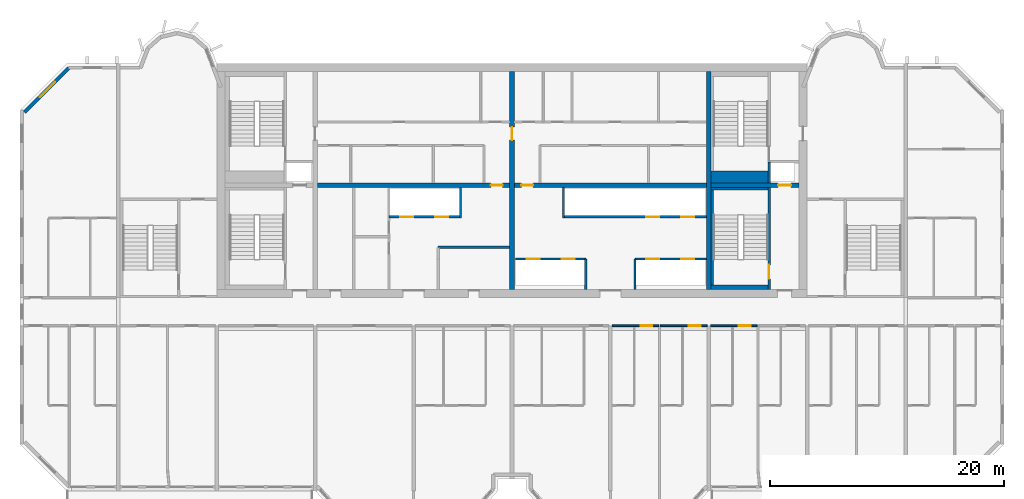
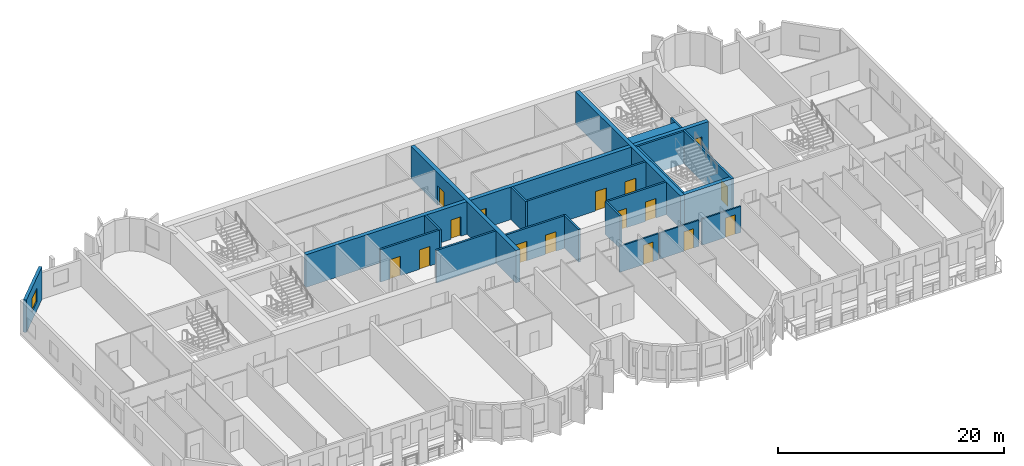
# One storey, part 6 of 13: 24 walls, 16 doors, 1 window, 17 openings.
"""IFC4 building model written with IfcOpenShell, lengths in metres."""

from ifc_helpers import new_model, si_unit, direction, frame, frame_2d, origin, place, context, subcontext, project, spatial, rectangle, extrude, source, transform, mapped, material, layer, layer_set, type_object, element, fill, save


model = new_model("IFC4")

# Units and contexts
model_context = context("Model", 3, precision=1e-05, world=origin(), true_north=direction((0.0, 1.0)))
body_context = subcontext(model_context, "Body", "Model", "MODEL_VIEW")
ifc_project = project(units=[si_unit("LENGTHUNIT", "METRE"), si_unit("AREAUNIT", "SQUARE_METRE"), si_unit("VOLUMEUNIT", "CUBIC_METRE"), si_unit("PLANEANGLEUNIT", "RADIAN"), si_unit("MASSUNIT", "GRAM", prefix="KILO")], contexts=[model_context])

# Site, building, storey
site_placement = place(None, origin())
site = spatial("IfcSite", under=ifc_project, at=site_placement, CompositionType="ELEMENT")
building_placement = place(site_placement, origin())
building = spatial("IfcBuilding", under=site, at=building_placement, Name="Vanashikhar Sky Hotel", CompositionType="ELEMENT")
storey_placement = place(building_placement, frame((0.0, 0.0, 193.39990234375)))
storey = spatial("IfcBuildingStorey", under=building, at=storey_placement, Name="L47", CompositionType="ELEMENT", Elevation=193.39990234375)

# Wall, opening, door
ifc_material_1 = material(Name="Concrete M60", Category="concrete")
ifc_layer_1 = layer(ifc_material_1, 0.39990234375)
ifc_layer_set_1 = layer_set([ifc_layer_1], Name="RC core inner wall 400 Concrete M60")
wall_type_1 = type_object("IfcWallType", Name="RC core inner wall 400 Concrete M60", PredefinedType="SHEAR", material=ifc_layer_set_1)
shared_shape_1 = source(origin(), body_context, "Body", "SweptSolid", [
    extrude(rectangle(XDim=18.60009765625, YDim=0.39990234375, at=frame_2d((9.300048828125, 0.0))), origin(), (0.0, 0.0, 1.0), 3.52001953125),
])
wall_1_placement = place(storey_placement, frame((50.39990234375, 22.699951171875, 0.0), z_axis=(0.0, 0.0, 1.0), x_axis=(0.0, 1.0, 0.0)))
wall_1 = element("IfcWall", 1, at=wall_1_placement, inside=storey, type_object=wall_type_1, Name="KW-L47-KX2", PredefinedType="SHEAR", context=body_context, shape_type="MappedRepresentation", body=[
    mapped(shared_shape_1, transform((0.0, 0.0, 0.0), scale=1.0)),
])
shared_shape_2 = source(origin(), body_context, "Body", "SweptSolid", [
    extrude(rectangle(XDim=1.10009765625, YDim=2.10009765625, at=frame_2d((0.550048828125, 1.050048828125))), frame((0.0, 0.2099609375, 0.0), z_axis=(0.0, -1.0, 0.0), x_axis=(1.0, 0.0, 0.0)), (0.0, 0.0, 1.0), 0.419921875),
])
opening_1_placement = place(wall_1_placement, frame((12.75, 0.0, 0.0)))
opening_1 = element("IfcOpeningElement", 2, at=opening_1_placement, cuts=wall_1, Name="Opening DC-4-C", PredefinedType="OPENING", context=body_context, shape_type="MappedRepresentation", body=[
    mapped(shared_shape_2, transform((0.0, 0.0, 0.0), scale=1.0)),
])
ifc_material_2 = material(Name="Steel", Category="steel")
door_type_1 = type_object("IfcDoorType", Name="Service door 1100 FD60", OperationType="NOTDEFINED", PredefinedType="DOOR", material=ifc_material_2)
shared_shape_3 = source(origin(), body_context, "Body", "SweptSolid", [
    extrude(rectangle(XDim=1.10009765625, YDim=2.10009765625, at=frame_2d((0.550048828125, 1.050048828125))), frame((0.0, 0.02490234375, 0.0), z_axis=(0.0, -1.0, 0.0), x_axis=(1.0, 0.0, 0.0)), (0.0, 0.0, 1.0), 0.050048828125),
])
door_1_placement = place(opening_1_placement, origin())
door_1 = element("IfcDoor", 3, at=door_1_placement, inside=storey, type_object=door_type_1, Name="Service door 1100 FD60", OperationType="SINGLE_SWING_RIGHT", OverallHeight=2.10009765625, OverallWidth=1.10009765625, PredefinedType="DOOR", context=body_context, shape_type="MappedRepresentation", body=[
    mapped(shared_shape_3, transform((0.0, 0.0, 0.0), scale=1.0)),
])
fill(opening_1, door_1)

# Wall
wall_2_placement = place(storey_placement, frame((67.199951171875, 22.699951171875, 0.0), z_axis=(0.0, 0.0, 1.0), x_axis=(0.0, 1.0, 0.0)))
element("IfcWall", 4, at=wall_2_placement, inside=storey, type_object=wall_type_1, Name="KW-L47-KX3", PredefinedType="SHEAR", context=body_context, shape_type="MappedRepresentation", body=[
    mapped(shared_shape_1, transform((0.0, 0.0, 0.0), scale=1.0)),
])

# Wall, opening, door
shared_shape_4 = source(origin(), body_context, "Body", "SweptSolid", [
    extrude(rectangle(XDim=7.5, YDim=0.39990234375, at=frame_2d((3.75, 0.0))), origin(), (0.0, 0.0, 1.0), 3.52001953125),
])
wall_3_placement = place(storey_placement, frame((67.39990234375, 31.60009765625, 0.0), z_axis=(0.0, 0.0, 1.0), x_axis=(1.0, 0.0, 0.0)))
wall_3 = element("IfcWall", 5, at=wall_3_placement, inside=storey, type_object=wall_type_1, Name="KW-L47-KY4", PredefinedType="SHEAR", context=body_context, shape_type="MappedRepresentation", body=[
    mapped(shared_shape_4, transform((0.0, 0.0, 0.0), scale=1.0)),
])
opening_2_placement = place(wall_3_placement, frame((5.72509765625, 0.0, 0.0)))
opening_2 = element("IfcOpeningElement", 6, at=opening_2_placement, cuts=wall_3, Name="Opening LD", PredefinedType="OPENING", context=body_context, shape_type="MappedRepresentation", body=[
    mapped(shared_shape_2, transform((0.0, 0.0, 0.0), scale=1.0)),
])
ifc_material_3 = material(Name="Stainless steel", Category="steel")
door_type_2 = type_object("IfcDoorType", Name="Lift landing door 1100", OperationType="NOTDEFINED", PredefinedType="DOOR", material=ifc_material_3)
door_2_placement = place(opening_2_placement, origin())
door_2 = element("IfcDoor", 7, at=door_2_placement, inside=storey, type_object=door_type_2, Name="Lift landing door 1100", OperationType="SLIDING_TO_RIGHT", OverallHeight=2.10009765625, OverallWidth=1.10009765625, PredefinedType="DOOR", context=body_context, shape_type="MappedRepresentation", body=[
    mapped(shared_shape_3, transform((0.0, 0.0, 0.0), scale=1.0)),
])
fill(opening_2, door_2)

shared_shape_5 = source(origin(), body_context, "Body", "SweptSolid", [
    extrude(rectangle(XDim=16.39990234375, YDim=0.39990234375, at=frame_2d((8.199951171875, 0.0))), origin(), (0.0, 0.0, 1.0), 3.52001953125),
])
wall_4_placement = place(storey_placement, frame((33.800048828125, 31.60009765625, 0.0), z_axis=(0.0, 0.0, 1.0), x_axis=(1.0, 0.0, 0.0)))
wall_4 = element("IfcWall", 8, at=wall_4_placement, inside=storey, type_object=wall_type_1, Name="KW-L47-KY2", PredefinedType="SHEAR", context=body_context, shape_type="MappedRepresentation", body=[
    mapped(shared_shape_5, transform((0.0, 0.0, 0.0), scale=1.0)),
])
shared_shape_6 = source(origin(), body_context, "Body", "SweptSolid", [
    extrude(rectangle(XDim=1.0, YDim=2.10009765625, at=frame_2d((0.5, 1.050048828125))), frame((0.0, 0.2099609375, 0.0), z_axis=(0.0, -1.0, 0.0), x_axis=(1.0, 0.0, 0.0)), (0.0, 0.0, 1.0), 0.419921875),
])
opening_3_placement = place(wall_4_placement, frame((14.800048828125, 0.0, 0.0)))
opening_3 = element("IfcOpeningElement", 9, at=opening_3_placement, cuts=wall_4, Name="Opening DC-4", PredefinedType="OPENING", context=body_context, shape_type="MappedRepresentation", body=[
    mapped(shared_shape_6, transform((0.0, 0.0, 0.0), scale=1.0)),
])
door_type_3 = type_object("IfcDoorType", Name="Service door 1000 FD60", OperationType="NOTDEFINED", PredefinedType="DOOR", material=ifc_material_2)
shared_shape_7 = source(origin(), body_context, "Body", "SweptSolid", [
    extrude(rectangle(XDim=1.0, YDim=2.10009765625, at=frame_2d((0.5, 1.050048828125))), frame((0.0, 0.02490234375, 0.0), z_axis=(0.0, -1.0, 0.0), x_axis=(1.0, 0.0, 0.0)), (0.0, 0.0, 1.0), 0.050048828125),
])
door_3_placement = place(opening_3_placement, origin())
door_3 = element("IfcDoor", 10, at=door_3_placement, inside=storey, type_object=door_type_3, Name="Service door 1000 FD60", OperationType="SINGLE_SWING_LEFT", OverallHeight=2.10009765625, OverallWidth=1.0, PredefinedType="DOOR", context=body_context, shape_type="MappedRepresentation", body=[
    mapped(shared_shape_7, transform((0.0, 0.0, 0.0), scale=1.0)),
])
fill(opening_3, door_3)

wall_5_placement = place(storey_placement, frame((50.60009765625, 31.60009765625, 0.0), z_axis=(0.0, 0.0, 1.0), x_axis=(1.0, 0.0, 0.0)))
wall_5 = element("IfcWall", 11, at=wall_5_placement, inside=storey, type_object=wall_type_1, Name="KW-L47-KY3", PredefinedType="SHEAR", context=body_context, shape_type="MappedRepresentation", body=[
    mapped(shared_shape_5, transform((0.0, 0.0, 0.0), scale=1.0)),
])
opening_4_placement = place(wall_5_placement, frame((0.60009765625, 0.0, 0.0)))
opening_4 = element("IfcOpeningElement", 12, at=opening_4_placement, cuts=wall_5, Name="Opening DC-4", PredefinedType="OPENING", context=body_context, shape_type="MappedRepresentation", body=[
    mapped(shared_shape_6, transform((0.0, 0.0, 0.0), scale=1.0)),
])
door_4_placement = place(opening_4_placement, origin())
door_4 = element("IfcDoor", 13, at=door_4_placement, inside=storey, type_object=door_type_3, Name="Service door 1000 FD60", OperationType="SINGLE_SWING_RIGHT", OverallHeight=2.10009765625, OverallWidth=1.0, PredefinedType="DOOR", context=body_context, shape_type="MappedRepresentation", body=[
    mapped(shared_shape_7, transform((0.0, 0.0, 0.0), scale=1.0)),
])
fill(opening_4, door_4)

# Wall, opening, window
ifc_material_4 = material(Name="Concrete M50", Category="concrete")
ifc_layer_2 = layer(ifc_material_4, 0.300048828125)
ifc_layer_set_2 = layer_set([ifc_layer_2], Name="Lobe wall 300")
wall_type_2 = type_object("IfcWallType", Name="Lobe wall 300", PredefinedType="SOLIDWALL", material=ifc_layer_set_2)
shared_shape_8 = source(origin(), body_context, "Body", "SweptSolid", [
    extrude(rectangle(XDim=5.32568359375, YDim=0.300048828125, at=frame_2d((2.662841796875, 0.0))), origin(), (0.0, 0.0, 1.0), 3.52001953125),
])
wall_6_placement = place(storey_placement, frame((12.565673828125, 41.60009765625, 0.0), z_axis=(0.0, 0.0, 1.0), x_axis=(-0.707083859269, -0.707129702361, 0.0)))
wall_6 = element("IfcWall", 14, at=wall_6_placement, inside=storey, type_object=wall_type_2, Name="Corner wall", PredefinedType="SOLIDWALL", context=body_context, shape_type="MappedRepresentation", body=[
    mapped(shared_shape_8, transform((0.0, 0.0, 0.0), scale=1.0)),
])
shared_shape_9 = source(origin(), body_context, "Body", "SweptSolid", [
    extrude(rectangle(XDim=1.800048828125, YDim=1.5, at=frame_2d((0.89990234375, 0.75))), frame((0.0, 0.16015625, 0.0), z_axis=(0.0, -1.0, 0.0), x_axis=(1.0, 0.0, 0.0)), (0.0, 0.0, 1.0), 0.320068359375),
])
opening_5_placement = place(wall_6_placement, frame((1.689453125, 0.0, 0.89990234375)))
opening_5 = element("IfcOpeningElement", 15, at=opening_5_placement, cuts=wall_6, Name="Opening WN-4", PredefinedType="OPENING", context=body_context, shape_type="MappedRepresentation", body=[
    mapped(shared_shape_9, transform((0.0, 0.0, 0.0), scale=1.0)),
])
ifc_material_5 = material(Name="Glass", Category="glass")
window_type = type_object("IfcWindowType", Name="Corner window 1800 x 1500", PartitioningType="SINGLE_PANEL", PredefinedType="WINDOW", material=ifc_material_5)
shared_shape_10 = source(origin(), body_context, "Body", "SweptSolid", [
    extrude(rectangle(XDim=1.800048828125, YDim=1.5, at=frame_2d((0.89990234375, 0.75))), frame((0.0, 0.030029296875, 0.0), z_axis=(0.0, -1.0, 0.0), x_axis=(1.0, 0.0, 0.0)), (0.0, 0.0, 1.0), 0.06005859375),
])
window_placement = place(opening_5_placement, origin())
window = element("IfcWindow", 16, at=window_placement, inside=storey, type_object=window_type, Name="Window WN-4", OverallHeight=1.5, OverallWidth=1.800048828125, PartitioningType="SINGLE_PANEL", PredefinedType="WINDOW", context=body_context, shape_type="MappedRepresentation", body=[
    mapped(shared_shape_10, transform((0.0, 0.0, 0.0), scale=1.0)),
])
fill(opening_5, window)

# Wall, openings, doors
ifc_material_6 = material(Name="Concrete M40", Category="concrete")
ifc_layer_3 = layer(ifc_material_6, 0.199951171875)
ifc_layer_set_3 = layer_set([ifc_layer_3], Name="Shaft wall 200")
wall_type_3 = type_object("IfcWallType", Name="Shaft wall 200", PredefinedType="SOLIDWALL", material=ifc_layer_set_3)
shared_shape_11 = source(origin(), body_context, "Body", "SweptSolid", [
    extrude(rectangle(XDim=6.0, YDim=0.199951171875, at=frame_2d((3.0, 0.0))), origin(), (0.0, 0.0, 1.0), 3.52001953125),
])
wall_7_placement = place(storey_placement, frame((39.89990234375, 28.89990234375, 0.0), z_axis=(0.0, 0.0, 1.0), x_axis=(1.0, 0.0, 0.0)))
wall_7 = element("IfcWall", 17, at=wall_7_placement, inside=storey, type_object=wall_type_3, Name="Shaft wall 200", PredefinedType="SOLIDWALL", context=body_context, shape_type="MappedRepresentation", body=[
    mapped(shared_shape_11, transform((0.0, 0.0, 0.0), scale=1.0)),
])
shared_shape_12 = source(origin(), body_context, "Body", "SweptSolid", [
    extrude(rectangle(XDim=1.10009765625, YDim=2.10009765625, at=frame_2d((0.550048828125, 1.050048828125))), frame((0.0, 0.10986328125, 0.0), z_axis=(0.0, -1.0, 0.0), x_axis=(1.0, 0.0, 0.0)), (0.0, 0.0, 1.0), 0.219970703125),
])
opening_6_placement = place(wall_7_placement, frame((0.949951171875, 0.0, 0.0)))
opening_6 = element("IfcOpeningElement", 18, at=opening_6_placement, cuts=wall_7, Name="Opening LD", PredefinedType="OPENING", context=body_context, shape_type="MappedRepresentation", body=[
    mapped(shared_shape_12, transform((0.0, 0.0, 0.0), scale=1.0)),
])
opening_7_placement = place(wall_7_placement, frame((3.949951171875, 0.0, 0.0)))
opening_7 = element("IfcOpeningElement", 19, at=opening_7_placement, cuts=wall_7, Name="Opening LD", PredefinedType="OPENING", context=body_context, shape_type="MappedRepresentation", body=[
    mapped(shared_shape_12, transform((0.0, 0.0, 0.0), scale=1.0)),
])
door_5_placement = place(opening_6_placement, origin())
door_5 = element("IfcDoor", 20, at=door_5_placement, inside=storey, type_object=door_type_2, Name="Lift landing door 1100", OperationType="SLIDING_TO_LEFT", OverallHeight=2.10009765625, OverallWidth=1.10009765625, PredefinedType="DOOR", context=body_context, shape_type="MappedRepresentation", body=[
    mapped(shared_shape_3, transform((0.0, 0.0, 0.0), scale=1.0)),
])
fill(opening_6, door_5)
door_6_placement = place(opening_7_placement, origin())
door_6 = element("IfcDoor", 21, at=door_6_placement, inside=storey, type_object=door_type_2, Name="Lift landing door 1100", OperationType="SLIDING_TO_RIGHT", OverallHeight=2.10009765625, OverallWidth=1.10009765625, PredefinedType="DOOR", context=body_context, shape_type="MappedRepresentation", body=[
    mapped(shared_shape_3, transform((0.0, 0.0, 0.0), scale=1.0)),
])
fill(opening_7, door_6)

wall_8_placement = place(storey_placement, frame((56.699951171875, 25.300048828125, 0.0), z_axis=(0.0, 0.0, 1.0), x_axis=(-1.0, 0.0, 0.0)))
wall_8 = element("IfcWall", 22, at=wall_8_placement, inside=storey, type_object=wall_type_3, Name="Shaft wall 200", PredefinedType="SOLIDWALL", context=body_context, shape_type="MappedRepresentation", body=[
    mapped(shared_shape_11, transform((0.0, 0.0, 0.0), scale=1.0)),
])
opening_8_placement = place(wall_8_placement, frame((0.949951171875, 0.0, 0.0)))
opening_8 = element("IfcOpeningElement", 23, at=opening_8_placement, cuts=wall_8, Name="Opening LD", PredefinedType="OPENING", context=body_context, shape_type="MappedRepresentation", body=[
    mapped(shared_shape_12, transform((0.0, 0.0, 0.0), scale=1.0)),
])
opening_9_placement = place(wall_8_placement, frame((3.949951171875, 0.0, 0.0)))
opening_9 = element("IfcOpeningElement", 24, at=opening_9_placement, cuts=wall_8, Name="Opening LD", PredefinedType="OPENING", context=body_context, shape_type="MappedRepresentation", body=[
    mapped(shared_shape_12, transform((0.0, 0.0, 0.0), scale=1.0)),
])
door_7_placement = place(opening_8_placement, origin())
door_7 = element("IfcDoor", 25, at=door_7_placement, inside=storey, type_object=door_type_2, Name="Lift landing door 1100", OperationType="SLIDING_TO_RIGHT", OverallHeight=2.10009765625, OverallWidth=1.10009765625, PredefinedType="DOOR", context=body_context, shape_type="MappedRepresentation", body=[
    mapped(shared_shape_3, transform((0.0, 0.0, 0.0), scale=1.0)),
])
fill(opening_8, door_7)
door_8_placement = place(opening_9_placement, origin())
door_8 = element("IfcDoor", 26, at=door_8_placement, inside=storey, type_object=door_type_2, Name="Lift landing door 1100", OperationType="SLIDING_TO_LEFT", OverallHeight=2.10009765625, OverallWidth=1.10009765625, PredefinedType="DOOR", context=body_context, shape_type="MappedRepresentation", body=[
    mapped(shared_shape_3, transform((0.0, 0.0, 0.0), scale=1.0)),
])
fill(opening_9, door_8)

# Walls
ifc_layer_4 = layer(ifc_material_4, 0.199951171875)
ifc_layer_set_4 = layer_set([ifc_layer_4], Name="Stair infill wall 200")
wall_type_4 = type_object("IfcWallType", Name="Stair infill wall 200", PredefinedType="SOLIDWALL", material=ifc_layer_set_4)
shared_shape_13 = source(origin(), body_context, "Body", "SweptSolid", [
    extrude(rectangle(XDim=8.099853515625, YDim=0.199951171875, at=frame_2d((4.0498046875, 0.0))), origin(), (0.0, 0.0, 1.0), 3.52001953125),
])
wall_9_placement = place(storey_placement, frame((67.5, 23.10009765625, 0.0), z_axis=(0.0, 0.0, 1.0), x_axis=(0.0, 1.0, 0.0)))
element("IfcWall", 27, at=wall_9_placement, inside=storey, type_object=wall_type_4, Name="Stair infill wall 200", PredefinedType="SOLIDWALL", context=body_context, shape_type="MappedRepresentation", body=[
    mapped(shared_shape_13, transform((0.0, 0.0, 0.0), scale=1.0)),
])
shared_shape_14 = source(origin(), body_context, "Body", "SweptSolid", [
    extrude(rectangle(XDim=2.60009765625, YDim=0.199951171875, at=frame_2d((1.300048828125, 0.0))), origin(), (0.0, 0.0, 1.0), 3.52001953125),
])
for number, where, z_axis, x_axis, name in (
    (28, (60.89990234375, 22.699951171875, 0.0), (0.0, 0.0, 1.0), (0.0, 1.0, 0.0), "Shaft wall 200"),
    (29, (56.699951171875, 22.699951171875, 0.0), (0.0, 0.0, 1.0), (0.0, 1.0, 0.0), "Shaft wall 200"),
):
    element("IfcWall", number, at=place(storey_placement, frame(where, z_axis=z_axis, x_axis=x_axis)), inside=storey, type_object=wall_type_3, Name=name, PredefinedType="SOLIDWALL", context=body_context, shape_type="MappedRepresentation", body=[
        mapped(shared_shape_14, transform((0.0, 0.0, 0.0), scale=1.0)),
    ])
shared_shape_15 = source(origin(), body_context, "Body", "SweptSolid", [
    extrude(rectangle(XDim=2.599853515625, YDim=0.199951171875, at=frame_2d((1.2998046875, 0.0))), origin(), (0.0, 0.0, 1.0), 3.52001953125),
])
for number, where, z_axis, x_axis, name in (
    (30, (46.0, 28.800048828125, 0.0), (0.0, 0.0, 1.0), (0.0, 1.0, 0.0), "Shaft wall 200"),
    (31, (54.800048828125, 28.800048828125, 0.0), (0.0, 0.0, 1.0), (0.0, 1.0, 0.0), "Shaft wall 200"),
):
    element("IfcWall", number, at=place(storey_placement, frame(where, z_axis=z_axis, x_axis=x_axis)), inside=storey, type_object=wall_type_3, Name=name, PredefinedType="SOLIDWALL", context=body_context, shape_type="MappedRepresentation", body=[
        mapped(shared_shape_15, transform((0.0, 0.0, 0.0), scale=1.0)),
    ])
ifc_material_7 = material(Name="Gypsum board partition")
ifc_layer_5 = layer(ifc_material_7, 0.14990234375)
ifc_layer_set_5 = layer_set([ifc_layer_5], Name="Service partition 150")
wall_type_5 = type_object("IfcWallType", Name="Service partition 150", PredefinedType="PARTITIONING", material=ifc_layer_set_5)
shared_shape_16 = source(origin(), body_context, "Body", "SweptSolid", [
    extrude(rectangle(XDim=6.099853515625, YDim=0.199951171875, at=frame_2d((3.0498046875, 0.0))), origin(), (0.0, 0.0, 1.0), 3.52001953125),
])
wall_10_placement = place(storey_placement, frame((44.10009765625, 26.300048828125, 0.0), z_axis=(0.0, 0.0, 1.0), x_axis=(1.0, 0.0, 0.0)))
element("IfcWall", 32, at=wall_10_placement, inside=storey, type_object=wall_type_5, Name="Service partition 150", PredefinedType="PARTITIONING", context=body_context, shape_type="MappedRepresentation", body=[
    mapped(shared_shape_16, transform((0.0, 0.0, 0.0), scale=1.0)),
])

# Wall, openings, doors
shared_shape_17 = source(origin(), body_context, "Body", "SweptSolid", [
    extrude(rectangle(XDim=6.10009765625, YDim=0.199951171875, at=frame_2d((3.050048828125, 0.0))), origin(), (0.0, 0.0, 1.0), 3.52001953125),
])
wall_11_placement = place(storey_placement, frame((67.0, 25.300048828125, 0.0), z_axis=(0.0, 0.0, 1.0), x_axis=(-1.0, 0.0, 0.0)))
wall_11 = element("IfcWall", 33, at=wall_11_placement, inside=storey, type_object=wall_type_3, Name="Shaft wall 200", PredefinedType="SOLIDWALL", context=body_context, shape_type="MappedRepresentation", body=[
    mapped(shared_shape_17, transform((0.0, 0.0, 0.0), scale=1.0)),
])
opening_10_placement = place(wall_11_placement, frame((1.050048828125, 0.0, 0.0)))
opening_10 = element("IfcOpeningElement", 34, at=opening_10_placement, cuts=wall_11, Name="Opening LD", PredefinedType="OPENING", context=body_context, shape_type="MappedRepresentation", body=[
    mapped(shared_shape_12, transform((0.0, 0.0, 0.0), scale=1.0)),
])
opening_11_placement = place(wall_11_placement, frame((4.050048828125, 0.0, 0.0)))
opening_11 = element("IfcOpeningElement", 35, at=opening_11_placement, cuts=wall_11, Name="Opening LD", PredefinedType="OPENING", context=body_context, shape_type="MappedRepresentation", body=[
    mapped(shared_shape_12, transform((0.0, 0.0, 0.0), scale=1.0)),
])
door_9_placement = place(opening_10_placement, origin())
door_9 = element("IfcDoor", 36, at=door_9_placement, inside=storey, type_object=door_type_2, Name="Lift landing door 1100", OperationType="SLIDING_TO_RIGHT", OverallHeight=2.10009765625, OverallWidth=1.10009765625, PredefinedType="DOOR", context=body_context, shape_type="MappedRepresentation", body=[
    mapped(shared_shape_3, transform((0.0, 0.0, 0.0), scale=1.0)),
])
fill(opening_10, door_9)
door_10_placement = place(opening_11_placement, origin())
door_10 = element("IfcDoor", 37, at=door_10_placement, inside=storey, type_object=door_type_2, Name="Lift landing door 1100", OperationType="SLIDING_TO_LEFT", OverallHeight=2.10009765625, OverallWidth=1.10009765625, PredefinedType="DOOR", context=body_context, shape_type="MappedRepresentation", body=[
    mapped(shared_shape_3, transform((0.0, 0.0, 0.0), scale=1.0)),
])
fill(opening_11, door_10)

shared_shape_18 = source(origin(), body_context, "Body", "SweptSolid", [
    extrude(rectangle(XDim=12.10009765625, YDim=0.199951171875, at=frame_2d((6.050048828125, 0.0))), origin(), (0.0, 0.0, 1.0), 3.52001953125),
])
wall_12_placement = place(storey_placement, frame((67.0, 28.89990234375, 0.0), z_axis=(0.0, 0.0, 1.0), x_axis=(-1.0, 0.0, 0.0)))
wall_12 = element("IfcWall", 38, at=wall_12_placement, inside=storey, type_object=wall_type_3, Name="Shaft wall 200", PredefinedType="SOLIDWALL", context=body_context, shape_type="MappedRepresentation", body=[
    mapped(shared_shape_18, transform((0.0, 0.0, 0.0), scale=1.0)),
])
opening_12_placement = place(wall_12_placement, frame((1.050048828125, 0.0, 0.0)))
opening_12 = element("IfcOpeningElement", 39, at=opening_12_placement, cuts=wall_12, Name="Opening LD", PredefinedType="OPENING", context=body_context, shape_type="MappedRepresentation", body=[
    mapped(shared_shape_12, transform((0.0, 0.0, 0.0), scale=1.0)),
])
opening_13_placement = place(wall_12_placement, frame((4.050048828125, 0.0, 0.0)))
opening_13 = element("IfcOpeningElement", 40, at=opening_13_placement, cuts=wall_12, Name="Opening LD", PredefinedType="OPENING", context=body_context, shape_type="MappedRepresentation", body=[
    mapped(shared_shape_12, transform((0.0, 0.0, 0.0), scale=1.0)),
])
door_11_placement = place(opening_12_placement, origin())
door_11 = element("IfcDoor", 41, at=door_11_placement, inside=storey, type_object=door_type_2, Name="Lift landing door 1100", OperationType="SLIDING_TO_RIGHT", OverallHeight=2.10009765625, OverallWidth=1.10009765625, PredefinedType="DOOR", context=body_context, shape_type="MappedRepresentation", body=[
    mapped(shared_shape_3, transform((0.0, 0.0, 0.0), scale=1.0)),
])
fill(opening_12, door_11)
door_12_placement = place(opening_13_placement, origin())
door_12 = element("IfcDoor", 42, at=door_12_placement, inside=storey, type_object=door_type_2, Name="Lift landing door 1100", OperationType="SLIDING_TO_LEFT", OverallHeight=2.10009765625, OverallWidth=1.10009765625, PredefinedType="DOOR", context=body_context, shape_type="MappedRepresentation", body=[
    mapped(shared_shape_3, transform((0.0, 0.0, 0.0), scale=1.0)),
])
fill(opening_13, door_12)

# Wall, opening, door
ifc_layer_6 = layer(ifc_material_4, 0.199951171875)
ifc_layer_set_6 = layer_set([ifc_layer_6], Name="Stair wall 200")
wall_type_6 = type_object("IfcWallType", Name="Stair wall 200", PredefinedType="SOLIDWALL", material=ifc_layer_set_6)
shared_shape_19 = source(origin(), body_context, "Body", "SweptSolid", [
    extrude(rectangle(XDim=8.699951171875, YDim=0.199951171875, at=frame_2d((4.35009765625, 0.0))), origin(), (0.0, 0.0, 1.0), 3.52001953125),
])
wall_13_placement = place(storey_placement, frame((72.35009765625, 22.699951171875, 0.0), z_axis=(0.0, 0.0, 1.0), x_axis=(0.0, 1.0, 0.0)))
wall_13 = element("IfcWall", 43, at=wall_13_placement, inside=storey, type_object=wall_type_6, Name="Stair wall 200", PredefinedType="SOLIDWALL", context=body_context, shape_type="MappedRepresentation", body=[
    mapped(shared_shape_19, transform((0.0, 0.0, 0.0), scale=1.0)),
])
shared_shape_20 = source(origin(), body_context, "Body", "SweptSolid", [
    extrude(rectangle(XDim=1.199951171875, YDim=2.10009765625, at=frame_2d((0.60009765625, 1.050048828125))), frame((0.0, 0.10986328125, 0.0), z_axis=(0.0, -1.0, 0.0), x_axis=(1.0, 0.0, 0.0)), (0.0, 0.0, 1.0), 0.219970703125),
])
opening_14_placement = place(wall_13_placement, frame((0.89990234375, 0.0, 0.0)))
opening_14 = element("IfcOpeningElement", 44, at=opening_14_placement, cuts=wall_13, Name="Opening DC-1", PredefinedType="OPENING", context=body_context, shape_type="MappedRepresentation", body=[
    mapped(shared_shape_20, transform((0.0, 0.0, 0.0), scale=1.0)),
])
door_type_4 = type_object("IfcDoorType", Name="Stair door 1200 FD120", OperationType="NOTDEFINED", PredefinedType="DOOR", material=ifc_material_2)
shared_shape_21 = source(origin(), body_context, "Body", "SweptSolid", [
    extrude(rectangle(XDim=1.199951171875, YDim=2.10009765625, at=frame_2d((0.60009765625, 1.050048828125))), frame((0.0, 0.02490234375, 0.0), z_axis=(0.0, -1.0, 0.0), x_axis=(1.0, 0.0, 0.0)), (0.0, 0.0, 1.0), 0.050048828125),
])
door_13_placement = place(opening_14_placement, origin())
door_13 = element("IfcDoor", 45, at=door_13_placement, inside=storey, type_object=door_type_4, Name="Stair door 1200 FD120", OperationType="SINGLE_SWING_RIGHT", OverallHeight=2.10009765625, OverallWidth=1.199951171875, PredefinedType="DOOR", context=body_context, shape_type="MappedRepresentation", body=[
    mapped(shared_shape_21, transform((0.0, 0.0, 0.0), scale=1.0)),
])
fill(opening_14, door_13)

# Walls
shared_shape_22 = source(origin(), body_context, "Body", "SweptSolid", [
    extrude(rectangle(XDim=1.800048828125, YDim=0.199951171875, at=frame_2d((0.89990234375, 0.0))), origin(), (0.0, 0.0, 1.0), 3.52001953125),
])
wall_14_placement = place(storey_placement, frame((72.35009765625, 31.800048828125, 0.0), z_axis=(0.0, 0.0, 1.0), x_axis=(0.0, 1.0, 0.0)))
element("IfcWall", 46, at=wall_14_placement, inside=storey, type_object=wall_type_3, Name="Shaft wall 200", PredefinedType="SOLIDWALL", context=body_context, shape_type="MappedRepresentation", body=[
    mapped(shared_shape_22, transform((0.0, 0.0, 0.0), scale=1.0)),
])
ifc_layer_7 = layer(ifc_material_4, 0.39990234375)
ifc_layer_set_7 = layer_set([ifc_layer_7], Name="Stair infill wall 400")
wall_type_7 = type_object("IfcWallType", Name="Stair infill wall 400", PredefinedType="SOLIDWALL", material=ifc_layer_set_7)
shared_shape_23 = source(origin(), body_context, "Body", "SweptSolid", [
    extrude(rectangle(XDim=4.85009765625, YDim=0.39990234375, at=frame_2d((2.425048828125, 0.0))), origin(), (0.0, 0.0, 1.0), 3.52001953125),
])
wall_15_placement = place(storey_placement, frame((67.39990234375, 22.89990234375, 0.0), z_axis=(0.0, 0.0, 1.0), x_axis=(1.0, 0.0, 0.0)))
element("IfcWall", 47, at=wall_15_placement, inside=storey, type_object=wall_type_7, Name="Stair infill wall 400", PredefinedType="SOLIDWALL", context=body_context, shape_type="MappedRepresentation", body=[
    mapped(shared_shape_23, transform((0.0, 0.0, 0.0), scale=1.0)),
])
shared_shape_24 = source(origin(), body_context, "Body", "SweptSolid", [
    extrude(rectangle(XDim=4.85009765625, YDim=0.199951171875, at=frame_2d((2.425048828125, 0.0))), origin(), (0.0, 0.0, 1.0), 3.52001953125),
])
wall_16_placement = place(storey_placement, frame((67.39990234375, 31.300048828125, 0.0), z_axis=(0.0, 0.0, 1.0), x_axis=(1.0, 0.0, 0.0)))
element("IfcWall", 48, at=wall_16_placement, inside=storey, type_object=wall_type_4, Name="Stair infill wall 200", PredefinedType="SOLIDWALL", context=body_context, shape_type="MappedRepresentation", body=[
    mapped(shared_shape_24, transform((0.0, 0.0, 0.0), scale=1.0)),
])
ifc_layer_8 = layer(ifc_material_4, 1.0)
ifc_layer_set_8 = layer_set([ifc_layer_8], Name="Stair infill wall 1000")
wall_type_8 = type_object("IfcWallType", Name="Stair infill wall 1000", PredefinedType="SOLIDWALL", material=ifc_layer_set_8)
shared_shape_25 = source(origin(), body_context, "Body", "SweptSolid", [
    extrude(rectangle(XDim=4.85009765625, YDim=1.0, at=frame_2d((2.425048828125, 0.0))), origin(), (0.0, 0.0, 1.0), 3.52001953125),
])
wall_17_placement = place(storey_placement, frame((67.39990234375, 32.300048828125, 0.0), z_axis=(0.0, 0.0, 1.0), x_axis=(1.0, 0.0, 0.0)))
element("IfcWall", 49, at=wall_17_placement, inside=storey, type_object=wall_type_8, Name="Stair infill wall 1000", PredefinedType="SOLIDWALL", context=body_context, shape_type="MappedRepresentation", body=[
    mapped(shared_shape_25, transform((0.0, 0.0, 0.0), scale=1.0)),
])

# Wall, opening, door
ifc_material_8 = material(Name="Gypsum plasterboard partition")
ifc_layer_9 = layer(ifc_material_8, 0.14990234375)
ifc_layer_set_9 = layer_set([ifc_layer_9], Name="Corridor and demising partition 150")
wall_type_9 = type_object("IfcWallType", Name="Corridor and demising partition 150", PredefinedType="PARTITIONING", material=ifc_layer_set_9)
shared_shape_26 = source(origin(), body_context, "Body", "SweptSolid", [
    extrude(rectangle(XDim=3.974853515625, YDim=0.14990234375, at=frame_2d((1.9873046875, 0.0))), origin(), (0.0, 0.0, 1.0), 2.820068359375),
])
wall_18_placement = place(storey_placement, frame((67.35009765625, 19.60009765625, 0.0), z_axis=(0.0, 0.0, 1.0), x_axis=(1.0, 0.0, 0.0)))
wall_18 = element("IfcWall", 50, at=wall_18_placement, inside=storey, type_object=wall_type_9, Name="W-L47-PW032", PredefinedType="PARTITIONING", context=body_context, shape_type="MappedRepresentation", body=[
    mapped(shared_shape_26, transform((0.0, 0.0, 0.0), scale=1.0)),
])
shared_shape_27 = source(origin(), body_context, "Body", "SweptSolid", [
    extrude(rectangle(XDim=1.0, YDim=2.10009765625, at=frame_2d((0.5, 1.050048828125))), frame((0.0, 0.0849609375, 0.0), z_axis=(0.0, -1.0, 0.0), x_axis=(1.0, 0.0, 0.0)), (0.0, 0.0, 1.0), 0.169921875),
])
opening_15_placement = place(wall_18_placement, frame((2.425048828125, 0.0, 0.0)))
opening_15 = element("IfcOpeningElement", 51, at=opening_15_placement, cuts=wall_18, Name="Opening D-01", PredefinedType="OPENING", context=body_context, shape_type="MappedRepresentation", body=[
    mapped(shared_shape_27, transform((0.0, 0.0, 0.0), scale=1.0)),
])
ifc_material_9 = material(Name="Timber fire door", Category="wood")
door_type_5 = type_object("IfcDoorType", Name="Guest entry door 1000 FD30S", OperationType="NOTDEFINED", PredefinedType="DOOR", material=ifc_material_9)
door_14_placement = place(opening_15_placement, origin())
door_14 = element("IfcDoor", 52, at=door_14_placement, inside=storey, type_object=door_type_5, Name="D-L47-020", OperationType="SINGLE_SWING_RIGHT", OverallHeight=2.10009765625, OverallWidth=1.0, PredefinedType="DOOR", context=body_context, shape_type="MappedRepresentation", body=[
    mapped(shared_shape_7, transform((0.0, 0.0, 0.0), scale=1.0)),
])
fill(opening_15, door_14)

shared_shape_28 = source(origin(), body_context, "Body", "SweptSolid", [
    extrude(rectangle(XDim=3.97509765625, YDim=0.14990234375, at=frame_2d((1.987548828125, 0.0))), origin(), (0.0, 0.0, 1.0), 2.820068359375),
])
wall_19_placement = place(storey_placement, frame((58.949951171875, 19.60009765625, 0.0), z_axis=(0.0, 0.0, 1.0), x_axis=(1.0, 0.0, 0.0)))
wall_19 = element("IfcWall", 53, at=wall_19_placement, inside=storey, type_object=wall_type_9, Name="W-L47-PW025", PredefinedType="PARTITIONING", context=body_context, shape_type="MappedRepresentation", body=[
    mapped(shared_shape_28, transform((0.0, 0.0, 0.0), scale=1.0)),
])
opening_16_placement = place(wall_19_placement, frame((2.425048828125, 0.0, 0.0)))
opening_16 = element("IfcOpeningElement", 54, at=opening_16_placement, cuts=wall_19, Name="Opening D-01", PredefinedType="OPENING", context=body_context, shape_type="MappedRepresentation", body=[
    mapped(shared_shape_27, transform((0.0, 0.0, 0.0), scale=1.0)),
])
door_15_placement = place(opening_16_placement, origin())
door_15 = element("IfcDoor", 55, at=door_15_placement, inside=storey, type_object=door_type_5, Name="D-L47-016", OperationType="SINGLE_SWING_RIGHT", OverallHeight=2.10009765625, OverallWidth=1.0, PredefinedType="DOOR", context=body_context, shape_type="MappedRepresentation", body=[
    mapped(shared_shape_7, transform((0.0, 0.0, 0.0), scale=1.0)),
])
fill(opening_16, door_15)

wall_20_placement = place(storey_placement, frame((63.074951171875, 19.60009765625, 0.0), z_axis=(0.0, 0.0, 1.0), x_axis=(1.0, 0.0, 0.0)))
wall_20 = element("IfcWall", 56, at=wall_20_placement, inside=storey, type_object=wall_type_9, Name="W-L47-PW028", PredefinedType="PARTITIONING", context=body_context, shape_type="MappedRepresentation", body=[
    mapped(shared_shape_28, transform((0.0, 0.0, 0.0), scale=1.0)),
])
opening_17_placement = place(wall_20_placement, frame((2.425048828125, 0.0, 0.0)))
opening_17 = element("IfcOpeningElement", 57, at=opening_17_placement, cuts=wall_20, Name="Opening D-01", PredefinedType="OPENING", context=body_context, shape_type="MappedRepresentation", body=[
    mapped(shared_shape_27, transform((0.0, 0.0, 0.0), scale=1.0)),
])
door_16_placement = place(opening_17_placement, origin())
door_16 = element("IfcDoor", 58, at=door_16_placement, inside=storey, type_object=door_type_5, Name="D-L47-018", OperationType="SINGLE_SWING_RIGHT", OverallHeight=2.10009765625, OverallWidth=1.0, PredefinedType="DOOR", context=body_context, shape_type="MappedRepresentation", body=[
    mapped(shared_shape_7, transform((0.0, 0.0, 0.0), scale=1.0)),
])
fill(opening_17, door_16)

save(model, "model.ifc")
